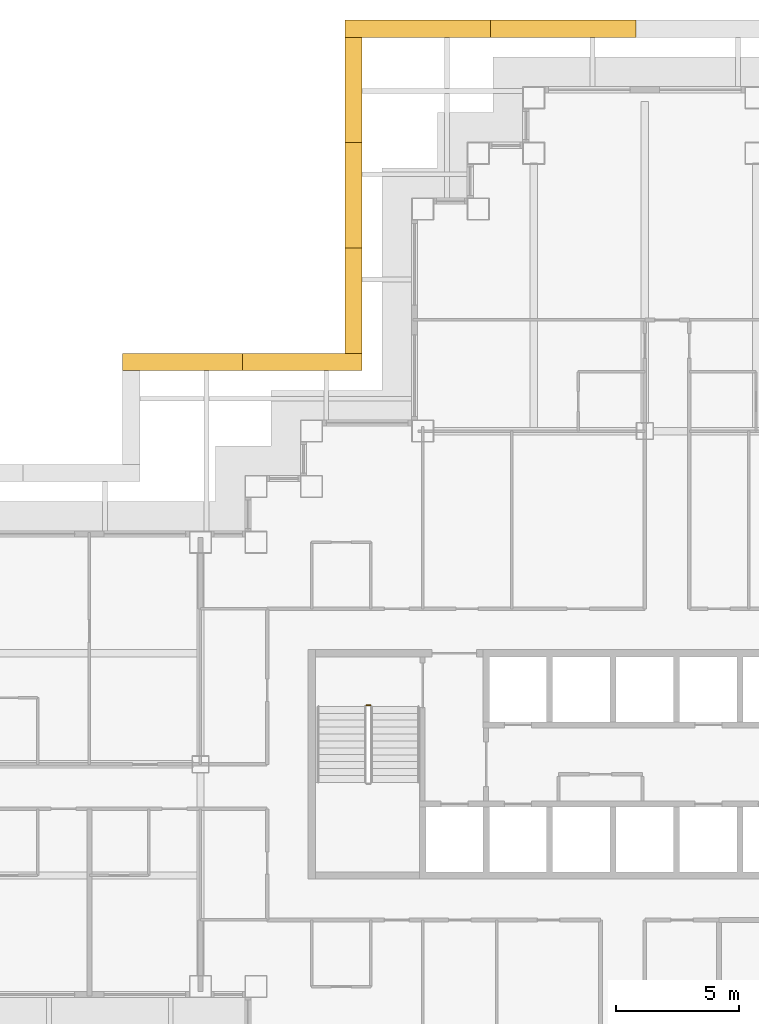
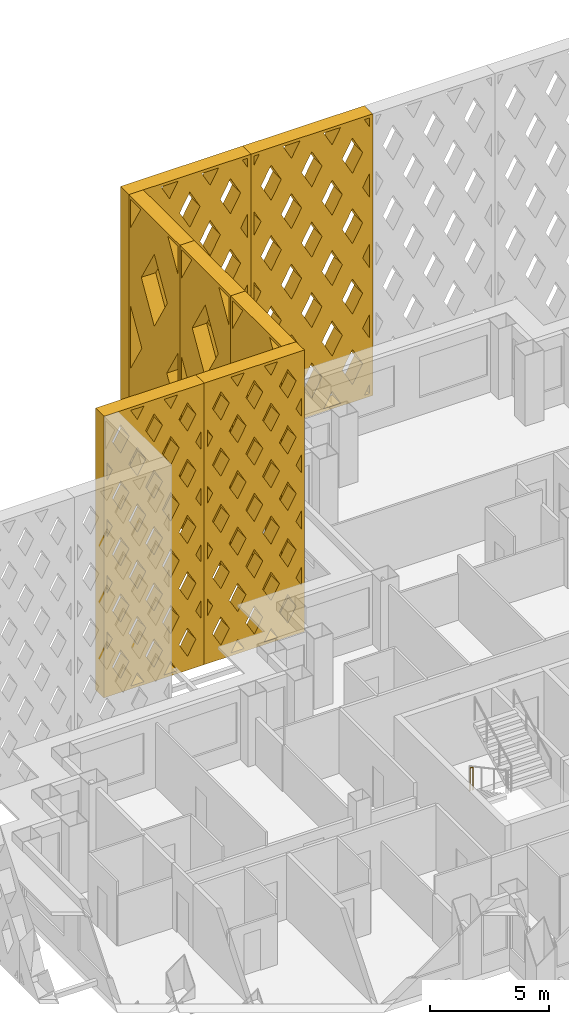
# One storey, part 18 of 21: 7 shading devices, 1 railing.
"""IFC4 building model written with IfcOpenShell, lengths in metres."""

from ifc_helpers import new_model, si_unit, direction, frame, origin, origin_2d, place, context, subcontext, project, spatial, polyline, circle, outline, extrude, material, type_object, element, save


model = new_model("IFC4")

# Units and contexts
model_context = context("Model", 3, precision=1e-05, world=origin(), true_north=direction((0.0, 1.0)))
body_context = subcontext(model_context, "Body", "Model", "MODEL_VIEW")
ifc_project = project(units=[si_unit("LENGTHUNIT", "METRE"), si_unit("AREAUNIT", "SQUARE_METRE"), si_unit("VOLUMEUNIT", "CUBIC_METRE"), si_unit("PLANEANGLEUNIT", "RADIAN"), si_unit("MASSUNIT", "GRAM", prefix="KILO")], contexts=[model_context])

# Site, building, storey
site_placement = place(None, origin())
site = spatial("IfcSite", under=ifc_project, at=site_placement, CompositionType="ELEMENT")
building_placement = place(site_placement, origin())
building = spatial("IfcBuilding", under=site, at=building_placement, Name="Caravel Reach Hotel and Residences", CompositionType="ELEMENT")
storey_placement = place(building_placement, frame((0.0, 0.0, 100.800048828125)))
storey = spatial("IfcBuildingStorey", under=building, at=storey_placement, Name="L24", CompositionType="ELEMENT", Elevation=100.800048828125)

# Shading devices
ifc_material_1 = material(Name="Black powder-coated aluminium", Category="aluminium")
shading_device_type_1 = type_object("IfcShadingDeviceType", Name="Diamond lattice screen panel 4267 x 14400", PredefinedType="USERDEFINED", material=ifc_material_1)
for number, where, z_axis, x_axis, name in (
    (1, (20.050048828125, 56.449951171875, 0.0), (-1.0, 0.0, 0.0), (0.0, -1.0, 0.0), "Lattice screen L24-L27 13.1"),
    (2, (20.050048828125, 52.183349609375, 0.0), (-1.0, 0.0, 0.0), (0.0, -1.0, 0.0), "Lattice screen L24-L27 13.2"),
    (3, (20.050048828125, 47.916748046875, 0.0), (-1.0, 0.0, 0.0), (0.0, -1.0, 0.0), "Lattice screen L24-L27 13.3"),
):
    element("IfcShadingDevice", number, at=place(storey_placement, frame(where, z_axis=z_axis, x_axis=x_axis)), inside=storey, type_object=shading_device_type_1, Name=name, ObjectType="SCREEN", PredefinedType="USERDEFINED", context=body_context, shape_type="SweptSolid", body=[
        extrude(outline(polyline([(0.0, 0.0), (4.2666015625, 0.0), (4.2666015625, 14.39990234375), (0.0, 14.39990234375), (0.0, 0.0)]), holes=[polyline([(1.003662109375, 0.14990234375), (0.14990234375, 1.590576171875), (0.14990234375, 0.14990234375), (1.003662109375, 0.14990234375)]), polyline([(1.092529296875, 7.199951171875), (0.14990234375, 8.790771484375), (0.14990234375, 5.609375), (1.092529296875, 7.199951171875)]), polyline([(0.14990234375, 12.809326171875), (1.003662109375, 14.25), (0.14990234375, 14.25), (0.14990234375, 12.809326171875)]), polyline([(2.13330078125, 5.44384765625), (1.040771484375, 3.60009765625), (2.13330078125, 1.756103515625), (3.225830078125, 3.60009765625), (2.13330078125, 5.44384765625)]), polyline([(2.13330078125, 12.643798828125), (1.040771484375, 10.800048828125), (2.13330078125, 8.956298828125), (3.225830078125, 10.800048828125), (2.13330078125, 12.643798828125)]), polyline([(4.11669921875, 1.590576171875), (3.262939453125, 0.14990234375), (4.11669921875, 0.14990234375), (4.11669921875, 1.590576171875)]), polyline([(3.174072265625, 7.199951171875), (4.11669921875, 5.609375), (4.11669921875, 8.790771484375), (3.174072265625, 7.199951171875)]), polyline([(3.262939453125, 14.25), (4.11669921875, 12.809326171875), (4.11669921875, 14.25), (3.262939453125, 14.25)])]), origin(), (0.0, 0.0, 1.0), 0.699951171875),
    ])
ifc_material_2 = material(Name="Black powder-coated aluminium", Category="aluminium")
shading_device_type_2 = type_object("IfcShadingDeviceType", Name="Diamond lattice screen panel 4850 x 14400", PredefinedType="USERDEFINED", material=ifc_material_2)
shading_device_1_placement = place(storey_placement, frame((20.050048828125, 42.949951171875, 0.0), z_axis=(0.0, 1.0, 0.0), x_axis=(-1.0, 0.0, 0.0)))
element("IfcShadingDevice", 4, at=shading_device_1_placement, inside=storey, type_object=shading_device_type_2, Name="Lattice screen L24-L27 14.1", ObjectType="SCREEN", PredefinedType="USERDEFINED", context=body_context, shape_type="SweptSolid", body=[
    extrude(outline(polyline([(0.0, 0.0), (4.85009765625, 0.0), (4.85009765625, 14.39990234375), (0.0, 14.39990234375), (0.0, 0.0)]), holes=[polyline([(0.408447265625, 2.8798828125), (0.14990234375, 3.34033203125), (0.14990234375, 2.419677734375), (0.408447265625, 2.8798828125)]), polyline([(0.408447265625, 5.760009765625), (0.14990234375, 6.22021484375), (0.14990234375, 5.2998046875), (0.408447265625, 5.760009765625)]), polyline([(0.408447265625, 8.639892578125), (0.14990234375, 9.100341796875), (0.14990234375, 8.1796875), (0.408447265625, 8.639892578125)]), polyline([(0.408447265625, 11.52001953125), (0.14990234375, 11.980224609375), (0.14990234375, 11.059814453125), (0.408447265625, 11.52001953125)]), polyline([(0.808349609375, 2.16748046875), (0.39990234375, 1.43994140625), (0.808349609375, 0.712646484375), (1.216796875, 1.43994140625), (0.808349609375, 2.16748046875)]), polyline([(0.808349609375, 5.04736328125), (0.39990234375, 4.320068359375), (0.808349609375, 3.592529296875), (1.216796875, 4.320068359375), (0.808349609375, 5.04736328125)]), polyline([(0.808349609375, 7.927490234375), (0.39990234375, 7.199951171875), (0.808349609375, 6.47265625), (1.216796875, 7.199951171875), (0.808349609375, 7.927490234375)]), polyline([(0.808349609375, 10.807373046875), (0.39990234375, 10.080078125), (0.808349609375, 9.3525390625), (1.216796875, 10.080078125), (0.808349609375, 10.807373046875)]), polyline([(0.808349609375, 13.6875), (0.39990234375, 12.9599609375), (0.808349609375, 12.232421875), (1.216796875, 12.9599609375), (0.808349609375, 13.6875)]), polyline([(1.61669921875, 0.7275390625), (1.29248046875, 0.14990234375), (1.94091796875, 0.14990234375), (1.61669921875, 0.7275390625)]), polyline([(1.61669921875, 3.607421875), (1.208251953125, 2.8798828125), (1.61669921875, 2.152587890625), (2.02490234375, 2.8798828125), (1.61669921875, 3.607421875)]), polyline([(1.61669921875, 6.487548828125), (1.208251953125, 5.760009765625), (1.61669921875, 5.032470703125), (2.02490234375, 5.760009765625), (1.61669921875, 6.487548828125)]), polyline([(1.61669921875, 9.367431640625), (1.208251953125, 8.639892578125), (1.61669921875, 7.91259765625), (2.02490234375, 8.639892578125), (1.61669921875, 9.367431640625)]), polyline([(1.61669921875, 12.24755859375), (1.208251953125, 11.52001953125), (1.61669921875, 10.79248046875), (2.02490234375, 11.52001953125), (1.61669921875, 12.24755859375)]), polyline([(1.61669921875, 13.672607421875), (1.94091796875, 14.25), (1.29248046875, 14.25), (1.61669921875, 13.672607421875)]), polyline([(2.425048828125, 2.16748046875), (2.0166015625, 1.43994140625), (2.425048828125, 0.712646484375), (2.833251953125, 1.43994140625), (2.425048828125, 2.16748046875)]), polyline([(2.425048828125, 5.04736328125), (2.0166015625, 4.320068359375), (2.425048828125, 3.592529296875), (2.833251953125, 4.320068359375), (2.425048828125, 5.04736328125)]), polyline([(2.425048828125, 7.927490234375), (2.0166015625, 7.199951171875), (2.425048828125, 6.47265625), (2.833251953125, 7.199951171875), (2.425048828125, 7.927490234375)]), polyline([(2.425048828125, 10.807373046875), (2.0166015625, 10.080078125), (2.425048828125, 9.3525390625), (2.833251953125, 10.080078125), (2.425048828125, 10.807373046875)]), polyline([(2.425048828125, 13.6875), (2.0166015625, 12.9599609375), (2.425048828125, 12.232421875), (2.833251953125, 12.9599609375), (2.425048828125, 13.6875)]), polyline([(3.2333984375, 0.7275390625), (2.9091796875, 0.14990234375), (3.557373046875, 0.14990234375), (3.2333984375, 0.7275390625)]), polyline([(3.2333984375, 3.607421875), (2.824951171875, 2.8798828125), (3.2333984375, 2.152587890625), (3.6416015625, 2.8798828125), (3.2333984375, 3.607421875)]), polyline([(3.2333984375, 6.487548828125), (2.824951171875, 5.760009765625), (3.2333984375, 5.032470703125), (3.6416015625, 5.760009765625), (3.2333984375, 6.487548828125)]), polyline([(3.2333984375, 9.367431640625), (2.824951171875, 8.639892578125), (3.2333984375, 7.91259765625), (3.6416015625, 8.639892578125), (3.2333984375, 9.367431640625)]), polyline([(3.2333984375, 12.24755859375), (2.824951171875, 11.52001953125), (3.2333984375, 10.79248046875), (3.6416015625, 11.52001953125), (3.2333984375, 12.24755859375)]), polyline([(3.2333984375, 13.672607421875), (3.557373046875, 14.25), (2.9091796875, 14.25), (3.2333984375, 13.672607421875)]), polyline([(4.041748046875, 2.16748046875), (3.63330078125, 1.43994140625), (4.041748046875, 0.712646484375), (4.449951171875, 1.43994140625), (4.041748046875, 2.16748046875)]), polyline([(4.041748046875, 5.04736328125), (3.63330078125, 4.320068359375), (4.041748046875, 3.592529296875), (4.449951171875, 4.320068359375), (4.041748046875, 5.04736328125)]), polyline([(4.041748046875, 7.927490234375), (3.63330078125, 7.199951171875), (4.041748046875, 6.47265625), (4.449951171875, 7.199951171875), (4.041748046875, 7.927490234375)]), polyline([(4.041748046875, 10.807373046875), (3.63330078125, 10.080078125), (4.041748046875, 9.3525390625), (4.449951171875, 10.080078125), (4.041748046875, 10.807373046875)]), polyline([(4.041748046875, 13.6875), (3.63330078125, 12.9599609375), (4.041748046875, 12.232421875), (4.449951171875, 12.9599609375), (4.041748046875, 13.6875)]), polyline([(4.441650390625, 2.8798828125), (4.699951171875, 2.419677734375), (4.699951171875, 3.34033203125), (4.441650390625, 2.8798828125)]), polyline([(4.441650390625, 5.760009765625), (4.699951171875, 5.2998046875), (4.699951171875, 6.22021484375), (4.441650390625, 5.760009765625)]), polyline([(4.441650390625, 8.639892578125), (4.699951171875, 8.1796875), (4.699951171875, 9.100341796875), (4.441650390625, 8.639892578125)]), polyline([(4.441650390625, 11.52001953125), (4.699951171875, 11.059814453125), (4.699951171875, 11.980224609375), (4.441650390625, 11.52001953125)])]), origin(), (0.0, 0.0, 1.0), 0.699951171875),
])
shading_device_2_placement = place(storey_placement, frame((15.199951171875, 42.949951171875, 0.0), z_axis=(0.0, 1.0, 0.0), x_axis=(-1.0, 0.0, 0.0)))
element("IfcShadingDevice", 5, at=shading_device_2_placement, inside=storey, type_object=shading_device_type_2, Name="Lattice screen L24-L27 14.2", ObjectType="SCREEN", PredefinedType="USERDEFINED", context=body_context, shape_type="SweptSolid", body=[
    extrude(outline(polyline([(0.0, 0.0), (4.85009765625, 0.0), (4.85009765625, 14.39990234375), (0.0, 14.39990234375), (0.0, 0.0)]), holes=[polyline([(0.408447265625, 2.8798828125), (0.14990234375, 3.34033203125), (0.14990234375, 2.419677734375), (0.408447265625, 2.8798828125)]), polyline([(0.408447265625, 5.760009765625), (0.14990234375, 6.22021484375), (0.14990234375, 5.2998046875), (0.408447265625, 5.760009765625)]), polyline([(0.408447265625, 8.639892578125), (0.14990234375, 9.100341796875), (0.14990234375, 8.1796875), (0.408447265625, 8.639892578125)]), polyline([(0.408447265625, 11.52001953125), (0.14990234375, 11.980224609375), (0.14990234375, 11.059814453125), (0.408447265625, 11.52001953125)]), polyline([(0.808349609375, 2.16748046875), (0.39990234375, 1.43994140625), (0.808349609375, 0.712646484375), (1.216796875, 1.43994140625), (0.808349609375, 2.16748046875)]), polyline([(0.808349609375, 5.04736328125), (0.39990234375, 4.320068359375), (0.808349609375, 3.592529296875), (1.216796875, 4.320068359375), (0.808349609375, 5.04736328125)]), polyline([(0.808349609375, 7.927490234375), (0.39990234375, 7.199951171875), (0.808349609375, 6.47265625), (1.216796875, 7.199951171875), (0.808349609375, 7.927490234375)]), polyline([(0.808349609375, 10.807373046875), (0.39990234375, 10.080078125), (0.808349609375, 9.3525390625), (1.216796875, 10.080078125), (0.808349609375, 10.807373046875)]), polyline([(0.808349609375, 13.6875), (0.39990234375, 12.9599609375), (0.808349609375, 12.232421875), (1.216796875, 12.9599609375), (0.808349609375, 13.6875)]), polyline([(1.61669921875, 0.7275390625), (1.29248046875, 0.14990234375), (1.94091796875, 0.14990234375), (1.61669921875, 0.7275390625)]), polyline([(1.61669921875, 3.607421875), (1.208251953125, 2.8798828125), (1.61669921875, 2.152587890625), (2.02490234375, 2.8798828125), (1.61669921875, 3.607421875)]), polyline([(1.61669921875, 6.487548828125), (1.208251953125, 5.760009765625), (1.61669921875, 5.032470703125), (2.02490234375, 5.760009765625), (1.61669921875, 6.487548828125)]), polyline([(1.61669921875, 9.367431640625), (1.208251953125, 8.639892578125), (1.61669921875, 7.91259765625), (2.02490234375, 8.639892578125), (1.61669921875, 9.367431640625)]), polyline([(1.61669921875, 12.24755859375), (1.208251953125, 11.52001953125), (1.61669921875, 10.79248046875), (2.02490234375, 11.52001953125), (1.61669921875, 12.24755859375)]), polyline([(1.61669921875, 13.672607421875), (1.94091796875, 14.25), (1.29248046875, 14.25), (1.61669921875, 13.672607421875)]), polyline([(2.425048828125, 2.16748046875), (2.0166015625, 1.43994140625), (2.425048828125, 0.712646484375), (2.833251953125, 1.43994140625), (2.425048828125, 2.16748046875)]), polyline([(2.425048828125, 5.04736328125), (2.0166015625, 4.320068359375), (2.425048828125, 3.592529296875), (2.833251953125, 4.320068359375), (2.425048828125, 5.04736328125)]), polyline([(2.425048828125, 7.927490234375), (2.0166015625, 7.199951171875), (2.425048828125, 6.47265625), (2.833251953125, 7.199951171875), (2.425048828125, 7.927490234375)]), polyline([(2.425048828125, 10.807373046875), (2.0166015625, 10.080078125), (2.425048828125, 9.3525390625), (2.833251953125, 10.080078125), (2.425048828125, 10.807373046875)]), polyline([(2.425048828125, 13.6875), (2.0166015625, 12.9599609375), (2.425048828125, 12.232421875), (2.833251953125, 12.9599609375), (2.425048828125, 13.6875)]), polyline([(3.2333984375, 0.7275390625), (2.9091796875, 0.14990234375), (3.557373046875, 0.14990234375), (3.2333984375, 0.7275390625)]), polyline([(3.2333984375, 3.607421875), (2.824951171875, 2.8798828125), (3.2333984375, 2.152587890625), (3.6416015625, 2.8798828125), (3.2333984375, 3.607421875)]), polyline([(3.2333984375, 6.487548828125), (2.824951171875, 5.760009765625), (3.2333984375, 5.032470703125), (3.6416015625, 5.760009765625), (3.2333984375, 6.487548828125)]), polyline([(3.2333984375, 9.367431640625), (2.824951171875, 8.639892578125), (3.2333984375, 7.91259765625), (3.6416015625, 8.639892578125), (3.2333984375, 9.367431640625)]), polyline([(3.2333984375, 12.24755859375), (2.824951171875, 11.52001953125), (3.2333984375, 10.79248046875), (3.6416015625, 11.52001953125), (3.2333984375, 12.24755859375)]), polyline([(3.2333984375, 13.672607421875), (3.557373046875, 14.25), (2.9091796875, 14.25), (3.2333984375, 13.672607421875)]), polyline([(4.041748046875, 2.16748046875), (3.63330078125, 1.43994140625), (4.041748046875, 0.712646484375), (4.449951171875, 1.43994140625), (4.041748046875, 2.16748046875)]), polyline([(4.041748046875, 5.04736328125), (3.63330078125, 4.320068359375), (4.041748046875, 3.592529296875), (4.449951171875, 4.320068359375), (4.041748046875, 5.04736328125)]), polyline([(4.041748046875, 7.927490234375), (3.63330078125, 7.199951171875), (4.041748046875, 6.47265625), (4.449951171875, 7.199951171875), (4.041748046875, 7.927490234375)]), polyline([(4.041748046875, 10.807373046875), (3.63330078125, 10.080078125), (4.041748046875, 9.3525390625), (4.449951171875, 10.080078125), (4.041748046875, 10.807373046875)]), polyline([(4.041748046875, 13.6875), (3.63330078125, 12.9599609375), (4.041748046875, 12.232421875), (4.449951171875, 12.9599609375), (4.041748046875, 13.6875)]), polyline([(4.441650390625, 2.8798828125), (4.699951171875, 2.419677734375), (4.699951171875, 3.34033203125), (4.441650390625, 2.8798828125)]), polyline([(4.441650390625, 5.760009765625), (4.699951171875, 5.2998046875), (4.699951171875, 6.22021484375), (4.441650390625, 5.760009765625)]), polyline([(4.441650390625, 8.639892578125), (4.699951171875, 8.1796875), (4.699951171875, 9.100341796875), (4.441650390625, 8.639892578125)]), polyline([(4.441650390625, 11.52001953125), (4.699951171875, 11.059814453125), (4.699951171875, 11.980224609375), (4.441650390625, 11.52001953125)])]), origin(), (0.0, 0.0, 1.0), 0.699951171875),
])
ifc_material_3 = material(Name="Black powder-coated aluminium", Category="aluminium")
shading_device_type_3 = type_object("IfcShadingDeviceType", Name="Diamond lattice screen panel 5900 x 14400", PredefinedType="USERDEFINED", material=ifc_material_3)
shading_device_3_placement = place(storey_placement, frame((31.14990234375, 56.449951171875, 0.0), z_axis=(0.0, 1.0, 0.0), x_axis=(-1.0, 0.0, 0.0)))
element("IfcShadingDevice", 6, at=shading_device_3_placement, inside=storey, type_object=shading_device_type_3, Name="Lattice screen L24-L27 12.3", ObjectType="SCREEN", PredefinedType="USERDEFINED", context=body_context, shape_type="SweptSolid", body=[
    extrude(outline(polyline([(0.0, 0.0), (5.89990234375, 0.0), (5.89990234375, 14.39990234375), (0.0, 14.39990234375), (0.0, 0.0)]), holes=[polyline([(0.40966796875, 0.14990234375), (0.14990234375, 0.62548828125), (0.14990234375, 0.14990234375), (0.40966796875, 0.14990234375)]), polyline([(0.49169921875, 3.60009765625), (0.14990234375, 4.2255859375), (0.14990234375, 2.974609375), (0.49169921875, 3.60009765625)]), polyline([(0.49169921875, 7.199951171875), (0.14990234375, 7.825439453125), (0.14990234375, 6.574462890625), (0.49169921875, 7.199951171875)]), polyline([(0.49169921875, 10.800048828125), (0.14990234375, 11.425537109375), (0.14990234375, 10.174560546875), (0.49169921875, 10.800048828125)]), polyline([(0.14990234375, 13.7744140625), (0.40966796875, 14.25), (0.14990234375, 14.25), (0.14990234375, 13.7744140625)]), polyline([(0.9833984375, 2.699951171875), (0.49169921875, 1.800048828125), (0.9833984375, 0.89990234375), (1.47509765625, 1.800048828125), (0.9833984375, 2.699951171875)]), polyline([(0.9833984375, 6.300048828125), (0.49169921875, 5.39990234375), (0.9833984375, 4.5), (1.47509765625, 5.39990234375), (0.9833984375, 6.300048828125)]), polyline([(0.9833984375, 9.900146484375), (0.49169921875, 9.0), (0.9833984375, 8.099853515625), (1.47509765625, 9.0), (0.9833984375, 9.900146484375)]), polyline([(0.9833984375, 13.5), (0.49169921875, 12.60009765625), (0.9833984375, 11.699951171875), (1.47509765625, 12.60009765625), (0.9833984375, 13.5)]), polyline([(1.966552734375, 0.900146484375), (1.556884765625, 0.14990234375), (2.37646484375, 0.14990234375), (1.966552734375, 0.900146484375)]), polyline([(1.966552734375, 4.5), (1.474853515625, 3.60009765625), (1.966552734375, 2.699951171875), (2.458251953125, 3.60009765625), (1.966552734375, 4.5)]), polyline([(1.966552734375, 8.10009765625), (1.474853515625, 7.199951171875), (1.966552734375, 6.300048828125), (2.458251953125, 7.199951171875), (1.966552734375, 8.10009765625)]), polyline([(1.966552734375, 11.699951171875), (1.474853515625, 10.800048828125), (1.966552734375, 9.89990234375), (2.458251953125, 10.800048828125), (1.966552734375, 11.699951171875)]), polyline([(1.966552734375, 13.5), (2.37646484375, 14.25), (1.556884765625, 14.25), (1.966552734375, 13.5)]), polyline([(2.949951171875, 2.699951171875), (2.458251953125, 1.800048828125), (2.949951171875, 0.89990234375), (3.441650390625, 1.800048828125), (2.949951171875, 2.699951171875)]), polyline([(2.949951171875, 6.300048828125), (2.458251953125, 5.39990234375), (2.949951171875, 4.5), (3.441650390625, 5.39990234375), (2.949951171875, 6.300048828125)]), polyline([(2.949951171875, 9.900146484375), (2.458251953125, 9.0), (2.949951171875, 8.099853515625), (3.441650390625, 9.0), (2.949951171875, 9.900146484375)]), polyline([(2.949951171875, 13.5), (2.458251953125, 12.60009765625), (2.949951171875, 11.699951171875), (3.441650390625, 12.60009765625), (2.949951171875, 13.5)]), polyline([(3.933349609375, 0.900146484375), (3.523681640625, 0.14990234375), (4.343017578125, 0.14990234375), (3.933349609375, 0.900146484375)]), polyline([(3.933349609375, 4.5), (3.441650390625, 3.60009765625), (3.933349609375, 2.699951171875), (4.425048828125, 3.60009765625), (3.933349609375, 4.5)]), polyline([(3.933349609375, 8.10009765625), (3.441650390625, 7.199951171875), (3.933349609375, 6.300048828125), (4.425048828125, 7.199951171875), (3.933349609375, 8.10009765625)]), polyline([(3.933349609375, 11.699951171875), (3.441650390625, 10.800048828125), (3.933349609375, 9.89990234375), (4.425048828125, 10.800048828125), (3.933349609375, 11.699951171875)]), polyline([(3.933349609375, 13.5), (4.343017578125, 14.25), (3.523681640625, 14.25), (3.933349609375, 13.5)]), polyline([(4.916748046875, 2.699951171875), (4.425048828125, 1.800048828125), (4.916748046875, 0.89990234375), (5.408447265625, 1.800048828125), (4.916748046875, 2.699951171875)]), polyline([(4.916748046875, 6.300048828125), (4.425048828125, 5.39990234375), (4.916748046875, 4.5), (5.408447265625, 5.39990234375), (4.916748046875, 6.300048828125)]), polyline([(4.916748046875, 9.900146484375), (4.425048828125, 9.0), (4.916748046875, 8.099853515625), (5.408447265625, 9.0), (4.916748046875, 9.900146484375)]), polyline([(4.916748046875, 13.5), (4.425048828125, 12.60009765625), (4.916748046875, 11.699951171875), (5.408447265625, 12.60009765625), (4.916748046875, 13.5)]), polyline([(5.75, 0.62548828125), (5.490234375, 0.14990234375), (5.75, 0.14990234375), (5.75, 0.62548828125)]), polyline([(5.408203125, 3.60009765625), (5.75, 2.974609375), (5.75, 4.2255859375), (5.408203125, 3.60009765625)]), polyline([(5.408203125, 7.199951171875), (5.75, 6.574462890625), (5.75, 7.825439453125), (5.408203125, 7.199951171875)]), polyline([(5.408203125, 10.800048828125), (5.75, 10.174560546875), (5.75, 11.425537109375), (5.408203125, 10.800048828125)]), polyline([(5.490234375, 14.25), (5.75, 13.7744140625), (5.75, 14.25), (5.490234375, 14.25)])]), origin(), (0.0, 0.0, 1.0), 0.699951171875),
])
shading_device_4_placement = place(storey_placement, frame((25.25, 56.449951171875, 0.0), z_axis=(0.0, 1.0, 0.0), x_axis=(-1.0, 0.0, 0.0)))
element("IfcShadingDevice", 7, at=shading_device_4_placement, inside=storey, type_object=shading_device_type_3, Name="Lattice screen L24-L27 12.4", ObjectType="SCREEN", PredefinedType="USERDEFINED", context=body_context, shape_type="SweptSolid", body=[
    extrude(outline(polyline([(0.0, 0.0), (5.89990234375, 0.0), (5.89990234375, 14.39990234375), (0.0, 14.39990234375), (0.0, 0.0)]), holes=[polyline([(0.40966796875, 0.14990234375), (0.14990234375, 0.62548828125), (0.14990234375, 0.14990234375), (0.40966796875, 0.14990234375)]), polyline([(0.49169921875, 3.60009765625), (0.14990234375, 4.2255859375), (0.14990234375, 2.974609375), (0.49169921875, 3.60009765625)]), polyline([(0.49169921875, 7.199951171875), (0.14990234375, 7.825439453125), (0.14990234375, 6.574462890625), (0.49169921875, 7.199951171875)]), polyline([(0.49169921875, 10.800048828125), (0.14990234375, 11.425537109375), (0.14990234375, 10.174560546875), (0.49169921875, 10.800048828125)]), polyline([(0.14990234375, 13.7744140625), (0.40966796875, 14.25), (0.14990234375, 14.25), (0.14990234375, 13.7744140625)]), polyline([(0.9833984375, 2.699951171875), (0.49169921875, 1.800048828125), (0.9833984375, 0.89990234375), (1.47509765625, 1.800048828125), (0.9833984375, 2.699951171875)]), polyline([(0.9833984375, 6.300048828125), (0.49169921875, 5.39990234375), (0.9833984375, 4.5), (1.47509765625, 5.39990234375), (0.9833984375, 6.300048828125)]), polyline([(0.9833984375, 9.900146484375), (0.49169921875, 9.0), (0.9833984375, 8.099853515625), (1.47509765625, 9.0), (0.9833984375, 9.900146484375)]), polyline([(0.9833984375, 13.5), (0.49169921875, 12.60009765625), (0.9833984375, 11.699951171875), (1.47509765625, 12.60009765625), (0.9833984375, 13.5)]), polyline([(1.966552734375, 0.900146484375), (1.556884765625, 0.14990234375), (2.37646484375, 0.14990234375), (1.966552734375, 0.900146484375)]), polyline([(1.966552734375, 4.5), (1.474853515625, 3.60009765625), (1.966552734375, 2.699951171875), (2.458251953125, 3.60009765625), (1.966552734375, 4.5)]), polyline([(1.966552734375, 8.10009765625), (1.474853515625, 7.199951171875), (1.966552734375, 6.300048828125), (2.458251953125, 7.199951171875), (1.966552734375, 8.10009765625)]), polyline([(1.966552734375, 11.699951171875), (1.474853515625, 10.800048828125), (1.966552734375, 9.89990234375), (2.458251953125, 10.800048828125), (1.966552734375, 11.699951171875)]), polyline([(1.966552734375, 13.5), (2.37646484375, 14.25), (1.556884765625, 14.25), (1.966552734375, 13.5)]), polyline([(2.949951171875, 2.699951171875), (2.458251953125, 1.800048828125), (2.949951171875, 0.89990234375), (3.441650390625, 1.800048828125), (2.949951171875, 2.699951171875)]), polyline([(2.949951171875, 6.300048828125), (2.458251953125, 5.39990234375), (2.949951171875, 4.5), (3.441650390625, 5.39990234375), (2.949951171875, 6.300048828125)]), polyline([(2.949951171875, 9.900146484375), (2.458251953125, 9.0), (2.949951171875, 8.099853515625), (3.441650390625, 9.0), (2.949951171875, 9.900146484375)]), polyline([(2.949951171875, 13.5), (2.458251953125, 12.60009765625), (2.949951171875, 11.699951171875), (3.441650390625, 12.60009765625), (2.949951171875, 13.5)]), polyline([(3.933349609375, 0.900146484375), (3.523681640625, 0.14990234375), (4.343017578125, 0.14990234375), (3.933349609375, 0.900146484375)]), polyline([(3.933349609375, 4.5), (3.441650390625, 3.60009765625), (3.933349609375, 2.699951171875), (4.425048828125, 3.60009765625), (3.933349609375, 4.5)]), polyline([(3.933349609375, 8.10009765625), (3.441650390625, 7.199951171875), (3.933349609375, 6.300048828125), (4.425048828125, 7.199951171875), (3.933349609375, 8.10009765625)]), polyline([(3.933349609375, 11.699951171875), (3.441650390625, 10.800048828125), (3.933349609375, 9.89990234375), (4.425048828125, 10.800048828125), (3.933349609375, 11.699951171875)]), polyline([(3.933349609375, 13.5), (4.343017578125, 14.25), (3.523681640625, 14.25), (3.933349609375, 13.5)]), polyline([(4.916748046875, 2.699951171875), (4.425048828125, 1.800048828125), (4.916748046875, 0.89990234375), (5.408447265625, 1.800048828125), (4.916748046875, 2.699951171875)]), polyline([(4.916748046875, 6.300048828125), (4.425048828125, 5.39990234375), (4.916748046875, 4.5), (5.408447265625, 5.39990234375), (4.916748046875, 6.300048828125)]), polyline([(4.916748046875, 9.900146484375), (4.425048828125, 9.0), (4.916748046875, 8.099853515625), (5.408447265625, 9.0), (4.916748046875, 9.900146484375)]), polyline([(4.916748046875, 13.5), (4.425048828125, 12.60009765625), (4.916748046875, 11.699951171875), (5.408447265625, 12.60009765625), (4.916748046875, 13.5)]), polyline([(5.75, 0.62548828125), (5.490234375, 0.14990234375), (5.75, 0.14990234375), (5.75, 0.62548828125)]), polyline([(5.408203125, 3.60009765625), (5.75, 2.974609375), (5.75, 4.2255859375), (5.408203125, 3.60009765625)]), polyline([(5.408203125, 7.199951171875), (5.75, 6.574462890625), (5.75, 7.825439453125), (5.408203125, 7.199951171875)]), polyline([(5.408203125, 10.800048828125), (5.75, 10.174560546875), (5.75, 11.425537109375), (5.408203125, 10.800048828125)]), polyline([(5.490234375, 14.25), (5.75, 13.7744140625), (5.75, 14.25), (5.490234375, 14.25)])]), origin(), (0.0, 0.0, 1.0), 0.699951171875),
])

# Railing
ifc_material_4 = material(Name="Steel balustrade with glass infill", Category="steel")
railing_type = type_object("IfcRailingType", Name="Guard 1200", PredefinedType="GUARDRAIL", material=ifc_material_4)
railing_placement = place(storey_placement, frame((20.22509765625, 29.39990234375, 0.0)))
element("IfcRailing", 8, at=railing_placement, inside=storey, type_object=railing_type, Name="L24 ST-A stair guard 4", PredefinedType="GUARDRAIL", context=body_context, shape_type="SweptSolid", body=[
    extrude(circle(Radius=0.02392578125, at=origin_2d()), frame((0.0, 0.0, 1.17578125), z_axis=(1.0, 0.0, 0.0), x_axis=(0.0, 1.0, 0.0)), (0.0, 0.0, 1.0), 0.14990234375),
    extrude(circle(Radius=0.02099609375, at=origin_2d()), origin(), (0.0, 0.0, 1.0), 1.15185546875),
    extrude(circle(Radius=0.02099609375, at=origin_2d()), frame((0.14990234375, 0.0, 0.0)), (0.0, 0.0, 1.0), 1.15185546875),
])

save(model, "model.ifc")
